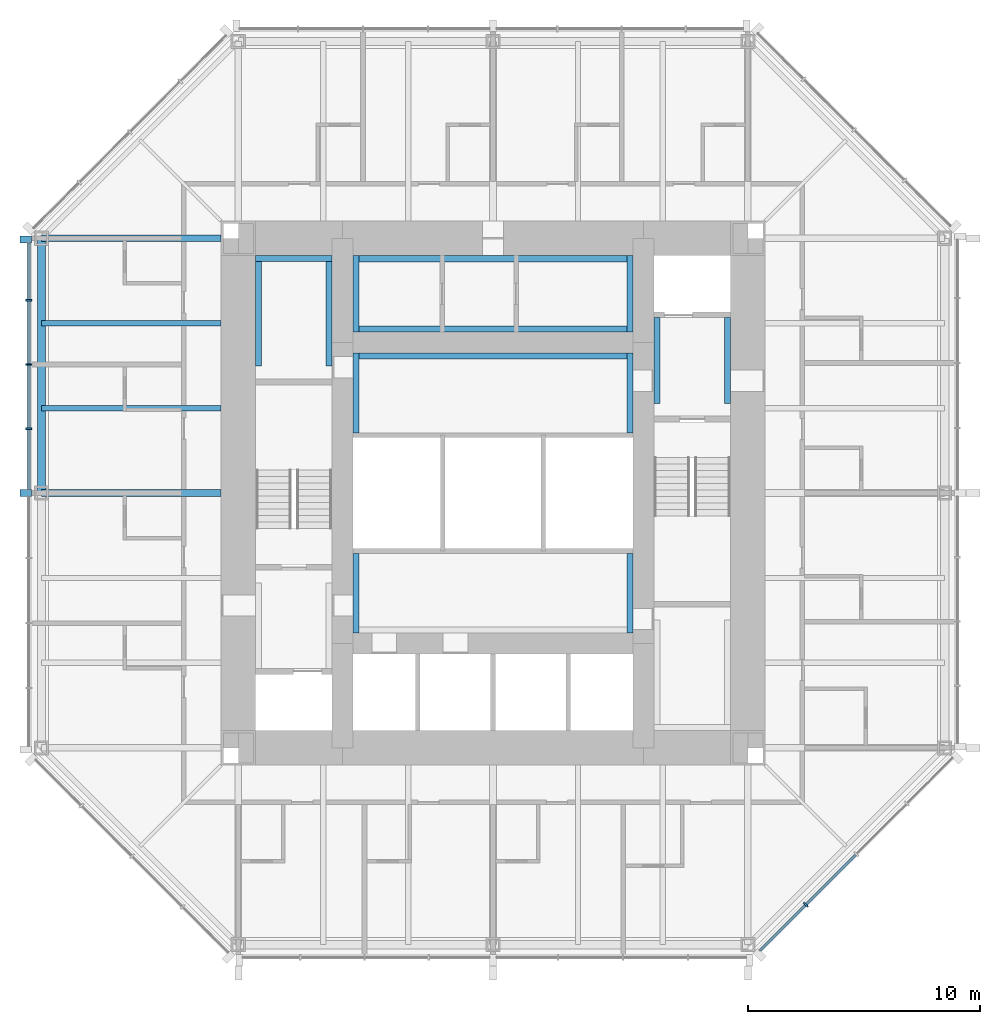
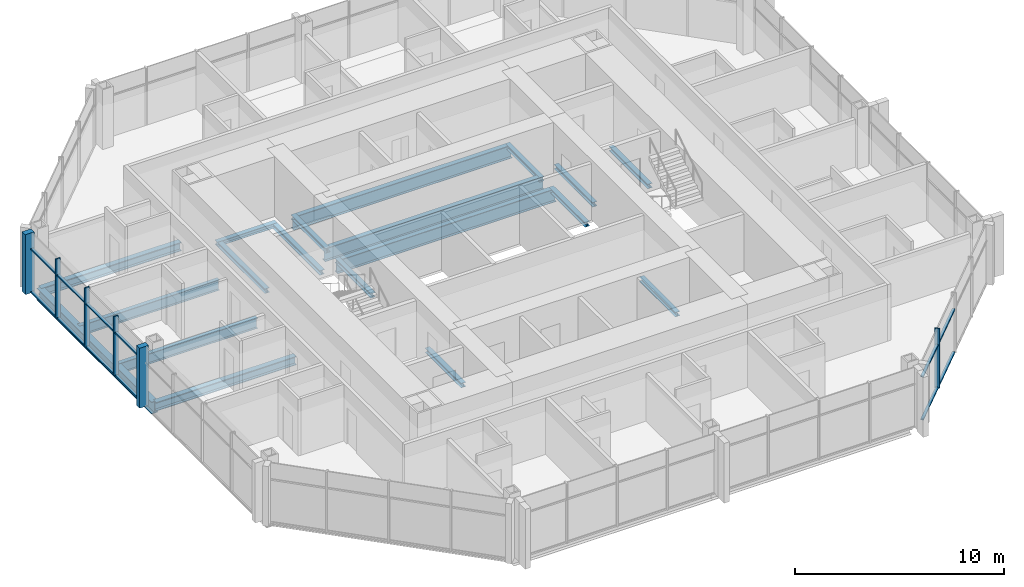
# One storey, part 3 of 12: 19 beams, 18 members, 2 elements without a shape of their own.
"""IFC4 building model written with IfcOpenShell, lengths in metres."""

from ifc_helpers import new_model, si_unit, direction, frame, origin, origin_2d, place, context, subcontext, project, spatial, rectangle, i_section, extrude, material, material_profile, profile_set, type_object, element, aggregate, save


model = new_model("IFC4")

# Units and contexts
model_context = context("Model", 3, precision=1e-05, world=origin(), true_north=direction((0.0, 1.0)))
body_context = subcontext(model_context, "Body", "Model", "MODEL_VIEW")
ifc_project = project(units=[si_unit("LENGTHUNIT", "METRE"), si_unit("AREAUNIT", "SQUARE_METRE"), si_unit("VOLUMEUNIT", "CUBIC_METRE"), si_unit("PLANEANGLEUNIT", "RADIAN"), si_unit("MASSUNIT", "GRAM", prefix="KILO")], contexts=[model_context])

# Site, building, storey
site_placement = place(None, origin())
site = spatial("IfcSite", under=ifc_project, at=site_placement, CompositionType="ELEMENT")
building_placement = place(site_placement, origin())
building = spatial("IfcBuilding", under=site, at=building_placement, Name="Trevanion Tower", CompositionType="ELEMENT")
storey_placement = place(building_placement, frame((0.0, 0.0, 194.199951171875)))
storey = spatial("IfcBuildingStorey", under=building, at=storey_placement, Name="L45", CompositionType="ELEMENT", Elevation=194.199951171875)

# Beams
ifc_material_1 = material(Name="Steel ASTM A992 Grade 50", Category="steel")
ifc_material_profile_1 = material_profile(ifc_material_1, i_section(OverallWidth=0.228271484375, OverallDepth=0.607177734375, WebThickness=0.01123046875, FlangeThickness=0.017333984375, at=origin_2d()), Name="W24X76")
ifc_profile_set_1 = profile_set([ifc_material_profile_1], Name="Steel ASTM A992 Grade 50")
beam_type_1 = type_object("IfcBeamType", Name="B11 W24X76", PredefinedType="BEAM", material=ifc_profile_set_1)
for number, where, z_axis, x_axis, name in (
    (1, (-11.75, 7.333251953125, -0.493408203125), (-1.0, 0.0, 0.0), (0.0, -1.0, 0.0), "B11 L45"),
    (2, (-11.75, 3.666748046875, -0.493408203125), (-1.0, 0.0, 0.0), (0.0, -1.0, 0.0), "B11 L45"),
):
    element("IfcBeam", number, at=place(storey_placement, frame(where, z_axis=z_axis, x_axis=x_axis)), inside=storey, type_object=beam_type_1, Name=name, PredefinedType="BEAM", context=body_context, shape_type="SweptSolid", body=[
        extrude(i_section(OverallWidth=0.228271484375, OverallDepth=0.607177734375, WebThickness=0.01123046875, FlangeThickness=0.017333984375, at=origin_2d()), origin(), (0.0, 0.0, 1.0), 7.75),
    ])

# Curtain wall, members
ifc_material_2 = material(Name="Aluminium and glass", Category="aluminium")
curtain_wall_type = type_object("IfcCurtainWallType", Name="CW3 curtain wall", PredefinedType="USERDEFINED", material=ifc_material_2)
curtain_wall_1_placement = place(storey_placement, origin())
curtain_wall_1 = element("IfcCurtainWall", 3, at=curtain_wall_1_placement, inside=storey, type_object=curtain_wall_type, Name="CW3 L45 4", ObjectType="UNITISED CURTAIN WALL", PredefinedType="USERDEFINED")
ifc_material_3 = material(Name="Aluminium extrusion, anodised bronze", Category="aluminium")
ifc_material_profile_2 = material_profile(ifc_material_3, rectangle(XDim=0.074951171875, YDim=0.25, at=origin_2d()), Name="CW3 mullion")
ifc_profile_set_2 = profile_set([ifc_material_profile_2], Name="Aluminium extrusion, anodised bronze")
member_type_1 = type_object("IfcMemberType", Name="CW3 mullion", PredefinedType="MULLION", material=ifc_profile_set_2)
member_1_placement = place(storey_placement, frame((-20.050048828125, 8.323486328125, -0.18994140625), z_axis=(0.0, 0.0, 1.0), x_axis=(0.0, -1.0, 0.0)))
member_1 = element("IfcMember", 4, at=member_1_placement, type_object=member_type_1, Name="CW3 mullion 2", PredefinedType="MULLION", context=body_context, shape_type="SweptSolid", body=[
    extrude(rectangle(XDim=0.074951171875, YDim=0.25, at=origin_2d()), origin(), (0.0, 0.0, 1.0), 3.5),
])
member_2_placement = place(storey_placement, frame((-20.050048828125, 5.548828125, -0.18994140625), z_axis=(0.0, 0.0, 1.0), x_axis=(0.0, -1.0, 0.0)))
member_2 = element("IfcMember", 5, at=member_2_placement, type_object=member_type_1, Name="CW3 mullion 3", PredefinedType="MULLION", context=body_context, shape_type="SweptSolid", body=[
    extrude(rectangle(XDim=0.074951171875, YDim=0.25, at=origin_2d()), origin(), (0.0, 0.0, 1.0), 3.5),
])
member_3_placement = place(storey_placement, frame((-20.050048828125, 2.7744140625, -0.18994140625), z_axis=(0.0, 0.0, 1.0), x_axis=(0.0, -1.0, 0.0)))
member_3 = element("IfcMember", 6, at=member_3_placement, type_object=member_type_1, Name="CW3 mullion 4", PredefinedType="MULLION", context=body_context, shape_type="SweptSolid", body=[
    extrude(rectangle(XDim=0.074951171875, YDim=0.25, at=origin_2d()), origin(), (0.0, 0.0, 1.0), 3.5),
])

# Curtain wall, member
curtain_wall_2_placement = place(storey_placement, origin())
curtain_wall_2 = element("IfcCurtainWall", 7, at=curtain_wall_2_placement, inside=storey, type_object=curtain_wall_type, Name="CW3 L45 7", ObjectType="UNITISED CURTAIN WALL", PredefinedType="USERDEFINED")
member_4_placement = place(storey_placement, frame((13.502197265625, -17.775390625, -0.18994140625), z_axis=(0.0, 0.0, 1.0), x_axis=(0.707106781187, 0.707106781187, 0.0)))
member_4 = element("IfcMember", 8, at=member_4_placement, type_object=member_type_1, Name="CW3 mullion 2", PredefinedType="MULLION", context=body_context, shape_type="SweptSolid", body=[
    extrude(rectangle(XDim=0.074951171875, YDim=0.25, at=origin_2d()), origin(), (0.0, 0.0, 1.0), 3.5),
])

# Member
ifc_material_4 = material(Name="Aluminium extrusion, anodised bronze", Category="aluminium")
ifc_material_profile_3 = material_profile(ifc_material_4, rectangle(XDim=0.300048828125, YDim=0.5, at=origin_2d()), Name="CW3 pier mullion")
ifc_profile_set_3 = profile_set([ifc_material_profile_3], Name="Aluminium extrusion, anodised bronze")
member_type_2 = type_object("IfcMemberType", Name="CW3 pier mullion", PredefinedType="MULLION", material=ifc_profile_set_3)
member_5_placement = place(storey_placement, frame((-20.175048828125, 10.94775390625, -0.18994140625), z_axis=(0.0, 0.0, 1.0), x_axis=(0.0, -1.0, 0.0)))
member_5 = element("IfcMember", 9, at=member_5_placement, type_object=member_type_2, Name="CW3 pier mullion 1", PredefinedType="MULLION", context=body_context, shape_type="SweptSolid", body=[
    extrude(rectangle(XDim=0.300048828125, YDim=0.5, at=origin_2d()), origin(), (0.0, 0.0, 1.0), 3.5),
])

member_6_placement = place(storey_placement, frame((-20.175048828125, 0.0, -0.18994140625), z_axis=(0.0, 0.0, 1.0), x_axis=(0.0, -1.0, 0.0)))
member_6 = element("IfcMember", 10, at=member_6_placement, type_object=member_type_2, Name="CW3 pier mullion 5", PredefinedType="MULLION", context=body_context, shape_type="SweptSolid", body=[
    extrude(rectangle(XDim=0.300048828125, YDim=0.5, at=origin_2d()), origin(), (0.0, 0.0, 1.0), 3.5),
])

ifc_material_5 = material(Name="Aluminium extrusion, anodised bronze", Category="aluminium")
ifc_material_profile_4 = material_profile(ifc_material_5, rectangle(XDim=0.14990234375, YDim=0.074951171875, at=origin_2d()), Name="CW3 transom")
ifc_profile_set_4 = profile_set([ifc_material_profile_4], Name="Aluminium extrusion, anodised bronze")
member_type_3 = type_object("IfcMemberType", Name="CW3 transom", PredefinedType="USERDEFINED", material=ifc_profile_set_4)
member_7_placement = place(storey_placement, frame((-20.050048828125, 10.7978515625, -0.15234375), z_axis=(0.0, -1.0, 0.0), x_axis=(1.0, 0.0, 0.0)))
member_7 = element("IfcMember", 11, at=member_7_placement, type_object=member_type_3, Name="CW3 transom 1.1", ObjectType="TRANSOM", PredefinedType="USERDEFINED", context=body_context, shape_type="SweptSolid", body=[
    extrude(rectangle(XDim=0.14990234375, YDim=0.074951171875, at=origin_2d()), origin(), (0.0, 0.0, 1.0), 2.43701171875),
])

member_8_placement = place(storey_placement, frame((-20.050048828125, 10.7978515625, 2.360107421875), z_axis=(0.0, -1.0, 0.0), x_axis=(1.0, 0.0, 0.0)))
member_8 = element("IfcMember", 12, at=member_8_placement, type_object=member_type_3, Name="CW3 transom 1.2", ObjectType="TRANSOM", PredefinedType="USERDEFINED", context=body_context, shape_type="SweptSolid", body=[
    extrude(rectangle(XDim=0.14990234375, YDim=0.074951171875, at=origin_2d()), origin(), (0.0, 0.0, 1.0), 2.43701171875),
])

member_9_placement = place(storey_placement, frame((-20.050048828125, 8.285888671875, -0.15234375), z_axis=(0.0, -1.0, 0.0), x_axis=(1.0, 0.0, 0.0)))
member_9 = element("IfcMember", 13, at=member_9_placement, type_object=member_type_3, Name="CW3 transom 2.1", ObjectType="TRANSOM", PredefinedType="USERDEFINED", context=body_context, shape_type="SweptSolid", body=[
    extrude(rectangle(XDim=0.14990234375, YDim=0.074951171875, at=origin_2d()), origin(), (0.0, 0.0, 1.0), 2.699462890625),
])

member_10_placement = place(storey_placement, frame((-20.050048828125, 8.285888671875, 2.360107421875), z_axis=(0.0, -1.0, 0.0), x_axis=(1.0, 0.0, 0.0)))
member_10 = element("IfcMember", 14, at=member_10_placement, type_object=member_type_3, Name="CW3 transom 2.2", ObjectType="TRANSOM", PredefinedType="USERDEFINED", context=body_context, shape_type="SweptSolid", body=[
    extrude(rectangle(XDim=0.14990234375, YDim=0.074951171875, at=origin_2d()), origin(), (0.0, 0.0, 1.0), 2.699462890625),
])

member_11_placement = place(storey_placement, frame((-20.050048828125, 5.511474609375, -0.15234375), z_axis=(0.0, -1.0, 0.0), x_axis=(1.0, 0.0, 0.0)))
member_11 = element("IfcMember", 15, at=member_11_placement, type_object=member_type_3, Name="CW3 transom 3.1", ObjectType="TRANSOM", PredefinedType="USERDEFINED", context=body_context, shape_type="SweptSolid", body=[
    extrude(rectangle(XDim=0.14990234375, YDim=0.074951171875, at=origin_2d()), origin(), (0.0, 0.0, 1.0), 2.699462890625),
])

member_12_placement = place(storey_placement, frame((-20.050048828125, 5.511474609375, 2.360107421875), z_axis=(0.0, -1.0, 0.0), x_axis=(1.0, 0.0, 0.0)))
member_12 = element("IfcMember", 16, at=member_12_placement, type_object=member_type_3, Name="CW3 transom 3.2", ObjectType="TRANSOM", PredefinedType="USERDEFINED", context=body_context, shape_type="SweptSolid", body=[
    extrude(rectangle(XDim=0.14990234375, YDim=0.074951171875, at=origin_2d()), origin(), (0.0, 0.0, 1.0), 2.699462890625),
])

member_13_placement = place(storey_placement, frame((-20.050048828125, 2.737060546875, -0.15234375), z_axis=(0.0, -1.0, 0.0), x_axis=(1.0, 0.0, 0.0)))
member_13 = element("IfcMember", 17, at=member_13_placement, type_object=member_type_3, Name="CW3 transom 4.1", ObjectType="TRANSOM", PredefinedType="USERDEFINED", context=body_context, shape_type="SweptSolid", body=[
    extrude(rectangle(XDim=0.14990234375, YDim=0.074951171875, at=origin_2d()), origin(), (0.0, 0.0, 1.0), 2.587158203125),
])

member_14_placement = place(storey_placement, frame((-20.050048828125, 2.737060546875, 2.360107421875), z_axis=(0.0, -1.0, 0.0), x_axis=(1.0, 0.0, 0.0)))
member_14 = element("IfcMember", 18, at=member_14_placement, type_object=member_type_3, Name="CW3 transom 4.2", ObjectType="TRANSOM", PredefinedType="USERDEFINED", context=body_context, shape_type="SweptSolid", body=[
    extrude(rectangle(XDim=0.14990234375, YDim=0.074951171875, at=origin_2d()), origin(), (0.0, 0.0, 1.0), 2.587158203125),
])

aggregate(curtain_wall_1, [member_5, member_1, member_2, member_3, member_6, member_7, member_8, member_9, member_10, member_11, member_12, member_13, member_14])

member_15_placement = place(storey_placement, frame((11.531982421875, -19.745849609375, -0.15234375), z_axis=(0.707106781187, 0.707106781187, 0.0), x_axis=(-0.707106781187, 0.707106781187, 0.0)))
member_15 = element("IfcMember", 19, at=member_15_placement, type_object=member_type_3, Name="CW3 transom 1.1", ObjectType="TRANSOM", PredefinedType="USERDEFINED", context=body_context, shape_type="SweptSolid", body=[
    extrude(rectangle(XDim=0.14990234375, YDim=0.074951171875, at=origin_2d()), origin(), (0.0, 0.0, 1.0), 2.7490234375),
])

member_16_placement = place(storey_placement, frame((11.531982421875, -19.745849609375, 2.360107421875), z_axis=(0.707106781187, 0.707106781187, 0.0), x_axis=(-0.707106781187, 0.707106781187, 0.0)))
member_16 = element("IfcMember", 20, at=member_16_placement, type_object=member_type_3, Name="CW3 transom 1.2", ObjectType="TRANSOM", PredefinedType="USERDEFINED", context=body_context, shape_type="SweptSolid", body=[
    extrude(rectangle(XDim=0.14990234375, YDim=0.074951171875, at=origin_2d()), origin(), (0.0, 0.0, 1.0), 2.7490234375),
])

member_17_placement = place(storey_placement, frame((13.52880859375, -17.7490234375, -0.15234375), z_axis=(0.707106781187, 0.707106781187, 0.0), x_axis=(-0.707106781187, 0.707106781187, 0.0)))
member_17 = element("IfcMember", 21, at=member_17_placement, type_object=member_type_3, Name="CW3 transom 2.1", ObjectType="TRANSOM", PredefinedType="USERDEFINED", context=body_context, shape_type="SweptSolid", body=[
    extrude(rectangle(XDim=0.14990234375, YDim=0.074951171875, at=origin_2d()), origin(), (0.0, 0.0, 1.0), 3.01171875),
])

member_18_placement = place(storey_placement, frame((13.52880859375, -17.7490234375, 2.360107421875), z_axis=(0.707106781187, 0.707106781187, 0.0), x_axis=(-0.707106781187, 0.707106781187, 0.0)))
member_18 = element("IfcMember", 22, at=member_18_placement, type_object=member_type_3, Name="CW3 transom 2.2", ObjectType="TRANSOM", PredefinedType="USERDEFINED", context=body_context, shape_type="SweptSolid", body=[
    extrude(rectangle(XDim=0.14990234375, YDim=0.074951171875, at=origin_2d()), origin(), (0.0, 0.0, 1.0), 3.01171875),
])

aggregate(curtain_wall_2, [member_4, member_15, member_16, member_17, member_18])

# Beams
ifc_material_6 = material(Name="Steel ASTM A992 Grade 50", Category="steel")
ifc_material_profile_5 = material_profile(ifc_material_6, i_section(OverallWidth=0.28955078125, OverallDepth=0.508056640625, WebThickness=0.022705078125, FlangeThickness=0.040283203125, at=origin_2d()), Name="W18X175")
ifc_profile_set_5 = profile_set([ifc_material_profile_5], Name="Steel ASTM A992 Grade 50")
beam_type_2 = type_object("IfcBeamType", Name="G6 W18X175", PredefinedType="BEAM", material=ifc_profile_set_5)
for number, where, z_axis, x_axis, name in (
    (23, (-11.75, 11.0, -0.44384765625), (-1.0, 0.0, 0.0), (0.0, -1.0, 0.0), "G6 L45"),
    (24, (-11.75, 0.0, -0.44384765625), (-1.0, 0.0, 0.0), (0.0, -1.0, 0.0), "G6 L45"),
):
    element("IfcBeam", number, at=place(storey_placement, frame(where, z_axis=z_axis, x_axis=x_axis)), inside=storey, type_object=beam_type_2, Name=name, PredefinedType="BEAM", context=body_context, shape_type="SweptSolid", body=[
        extrude(i_section(OverallWidth=0.28955078125, OverallDepth=0.508056640625, WebThickness=0.022705078125, FlangeThickness=0.040283203125, at=origin_2d()), origin(), (0.0, 0.0, 1.0), 7.75),
    ])
ifc_material_7 = material(Name="Steel ASTM A992 Grade 50", Category="steel")
ifc_material_profile_6 = material_profile(ifc_material_7, i_section(OverallWidth=0.256591796875, OverallDepth=0.26416015625, WebThickness=0.011962890625, FlangeThickness=0.01953125, at=origin_2d()), Name="W10X68")
ifc_profile_set_6 = profile_set([ifc_material_profile_6], Name="Steel ASTM A992 Grade 50")
beam_type_3 = type_object("IfcBeamType", Name="LB1 W10X68", PredefinedType="BEAM", material=ifc_profile_set_6)
for number, where, z_axis, x_axis, name in (
    (25, (-5.921630859375, 2.60009765625, -0.33203125), (0.0, 1.0, 0.0), (-1.0, 0.0, 0.0), "LB1 L45"),
    (26, (5.921630859375, 2.60009765625, -0.33203125), (0.0, 1.0, 0.0), (-1.0, 0.0, 0.0), "LB1 L45"),
    (27, (-5.921630859375, -6.050048828125, -0.33203125), (0.0, 1.0, 0.0), (-1.0, 0.0, 0.0), "LB1 L45"),
    (28, (5.921630859375, -6.050048828125, -0.33203125), (0.0, 1.0, 0.0), (-1.0, 0.0, 0.0), "LB1 L45"),
):
    element("IfcBeam", number, at=place(storey_placement, frame(where, z_axis=z_axis, x_axis=x_axis)), inside=storey, type_object=beam_type_3, Name=name, PredefinedType="BEAM", context=body_context, shape_type="SweptSolid", body=[
        extrude(i_section(OverallWidth=0.256591796875, OverallDepth=0.26416015625, WebThickness=0.011962890625, FlangeThickness=0.01953125, at=origin_2d()), origin(), (0.0, 0.0, 1.0), 3.449951171875),
    ])
for number, where, z_axis, x_axis, name in (
    (29, (7.078369140625, 3.875, -0.33203125), (0.0, 1.0, 0.0), (-1.0, 0.0, 0.0), "LB1 L45"),
    (30, (10.12158203125, 3.875, -0.33203125), (0.0, 1.0, 0.0), (-1.0, 0.0, 0.0), "LB1 L45"),
):
    element("IfcBeam", number, at=place(storey_placement, frame(where, z_axis=z_axis, x_axis=x_axis)), inside=storey, type_object=beam_type_3, Name=name, PredefinedType="BEAM", context=body_context, shape_type="SweptSolid", body=[
        extrude(i_section(OverallWidth=0.256591796875, OverallDepth=0.26416015625, WebThickness=0.011962890625, FlangeThickness=0.01953125, at=origin_2d()), origin(), (0.0, 0.0, 1.0), 3.699951171875),
    ])
for number, where, z_axis, x_axis, name in (
    (31, (-10.12158203125, 5.47509765625, -0.33203125), (0.0, 1.0, 0.0), (-1.0, 0.0, 0.0), "LB1 L45"),
    (32, (-7.078369140625, 5.47509765625, -0.33203125), (0.0, 1.0, 0.0), (-1.0, 0.0, 0.0), "LB1 L45"),
):
    element("IfcBeam", number, at=place(storey_placement, frame(where, z_axis=z_axis, x_axis=x_axis)), inside=storey, type_object=beam_type_3, Name=name, PredefinedType="BEAM", context=body_context, shape_type="SweptSolid", body=[
        extrude(i_section(OverallWidth=0.256591796875, OverallDepth=0.26416015625, WebThickness=0.011962890625, FlangeThickness=0.01953125, at=origin_2d()), origin(), (0.0, 0.0, 1.0), 4.77490234375),
    ])
for number, where, z_axis, x_axis, name in (
    (33, (-10.25, 10.12158203125, -0.33203125), (1.0, 0.0, 0.0), (0.0, 1.0, 0.0), "LB1 L45"),
    (34, (-5.921630859375, 6.949951171875, -0.33203125), (0.0, 1.0, 0.0), (-1.0, 0.0, 0.0), "LB1 L45"),
    (35, (5.921630859375, 6.949951171875, -0.33203125), (0.0, 1.0, 0.0), (-1.0, 0.0, 0.0), "LB1 L45"),
):
    element("IfcBeam", number, at=place(storey_placement, frame(where, z_axis=z_axis, x_axis=x_axis)), inside=storey, type_object=beam_type_3, Name=name, PredefinedType="BEAM", context=body_context, shape_type="SweptSolid", body=[
        extrude(i_section(OverallWidth=0.256591796875, OverallDepth=0.26416015625, WebThickness=0.011962890625, FlangeThickness=0.01953125, at=origin_2d()), origin(), (0.0, 0.0, 1.0), 3.300048828125),
    ])
ifc_material_8 = material(Name="Steel ASTM A992 Grade 50", Category="steel")
ifc_material_profile_7 = material_profile(ifc_material_8, i_section(OverallWidth=0.2666015625, OverallDepth=0.76953125, WebThickness=0.015625, FlangeThickness=0.025390625, at=origin_2d()), Name="W30X132")
ifc_profile_set_7 = profile_set([ifc_material_profile_7], Name="Steel ASTM A992 Grade 50")
beam_type_4 = type_object("IfcBeamType", Name="LB3 W30X132", PredefinedType="BEAM", material=ifc_profile_set_7)
for number, where, z_axis, x_axis, name in (
    (36, (-6.050048828125, 5.91650390625, -0.584716796875), (1.0, 0.0, 0.0), (0.0, 1.0, 0.0), "LB3 L45"),
    (37, (-6.050048828125, 7.08349609375, -0.584716796875), (1.0, 0.0, 0.0), (0.0, 1.0, 0.0), "LB3 L45"),
    (38, (-6.050048828125, 10.11669921875, -0.584716796875), (1.0, 0.0, 0.0), (0.0, 1.0, 0.0), "LB3 L45"),
):
    element("IfcBeam", number, at=place(storey_placement, frame(where, z_axis=z_axis, x_axis=x_axis)), inside=storey, type_object=beam_type_4, Name=name, PredefinedType="BEAM", context=body_context, shape_type="SweptSolid", body=[
        extrude(i_section(OverallWidth=0.2666015625, OverallDepth=0.76953125, WebThickness=0.015625, FlangeThickness=0.025390625, at=origin_2d()), origin(), (0.0, 0.0, 1.0), 12.10009765625),
    ])
ifc_material_9 = material(Name="Steel ASTM A992 Grade 50", Category="steel")
ifc_material_profile_8 = material_profile(ifc_material_9, i_section(OverallWidth=0.355712890625, OverallDepth=0.696044921875, WebThickness=0.015380859375, FlangeThickness=0.024658203125, at=origin_2d()), Name="W27X146")
ifc_profile_set_8 = profile_set([ifc_material_profile_8], Name="Steel ASTM A992 Grade 50")
beam_type_5 = type_object("IfcBeamType", Name="SB8 W27X146", PredefinedType="SPANDREL", material=ifc_profile_set_8)
beam_placement = place(storey_placement, frame((-19.5, 11.0, -0.537841796875), z_axis=(0.0, -1.0, 0.0), x_axis=(1.0, 0.0, 0.0)))
element("IfcBeam", 39, at=beam_placement, inside=storey, type_object=beam_type_5, Name="SB8 L45", PredefinedType="SPANDREL", context=body_context, shape_type="SweptSolid", body=[
    extrude(i_section(OverallWidth=0.355712890625, OverallDepth=0.696044921875, WebThickness=0.015380859375, FlangeThickness=0.024658203125, at=origin_2d()), origin(), (0.0, 0.0, 1.0), 11.0),
])

save(model, "model.ifc")
